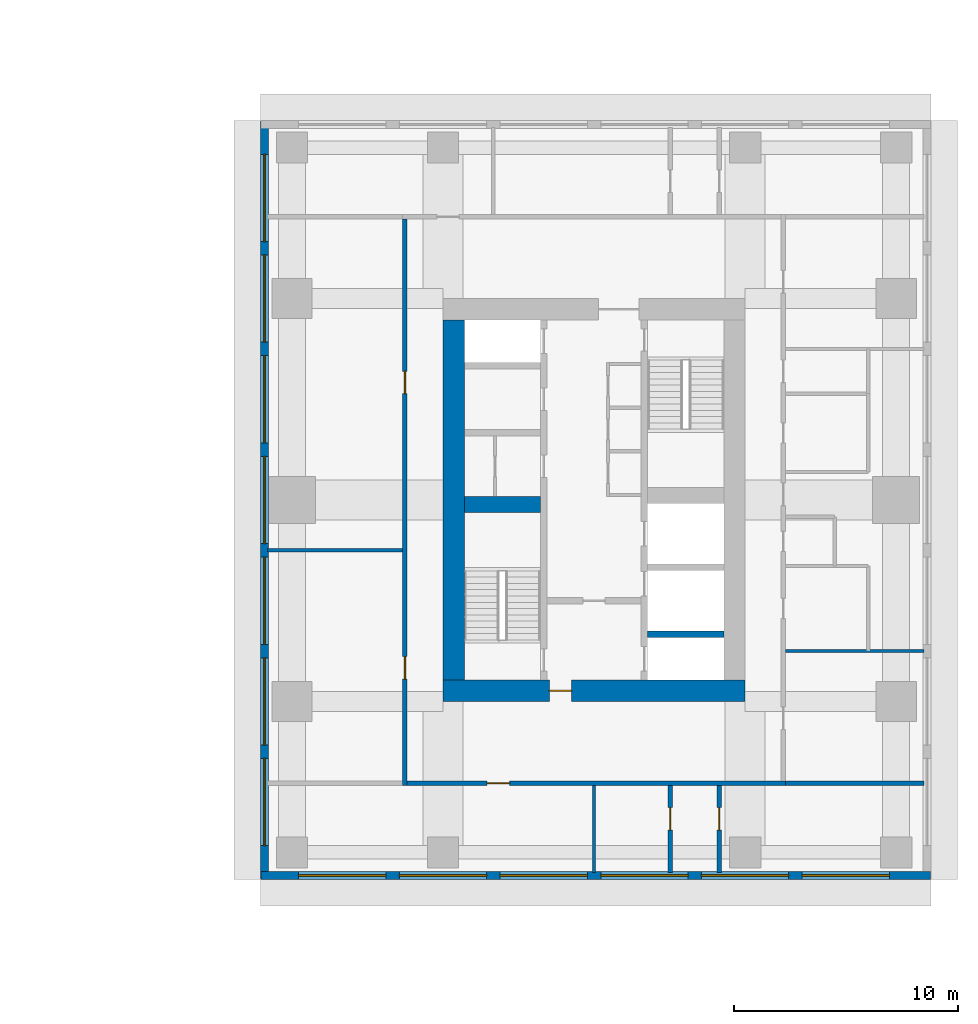
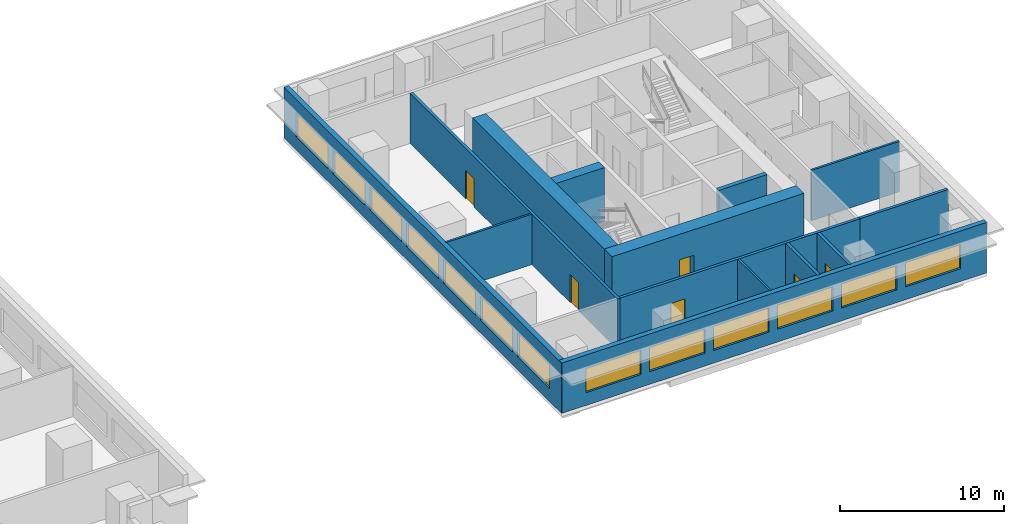
# One storey, part 6 of 11: 14 walls, 13 windows, 6 doors, 19 openings.
"""IFC4 building model written with IfcOpenShell, lengths in metres."""

import ifcopenshell
import ifcopenshell.guid

model = None  # the IFC model being written
_history = None  # IfcOwnerHistory: only IFC2X3 demands one
_inside = {}  # id of a spatial element -> (the spatial element, [elements in it])
_under = {}  # id of a project, library or spatial element -> (it, [spatial elements below it])
_declared = {}  # id of a project -> (the project, [libraries it declares])
_typed = {}  # id of a type object -> (the type object, [elements of that type])
_made_of = {}  # id of a material, layer set ... -> (it, [elements and type objects made of it])


def new_model(schema):
    """Start an empty IFC model of exactly this schema.

    Asked for "IFC4X3", IfcOpenShell would pick the latest addendum, in which some entities
    have other attributes; the version numbers below select the first issue.
    IFC2X3 requires an IfcOwnerHistory on every rooted entity: one is made here for all.
    """
    global model, _history
    if schema == "IFC4X3":
        model = ifcopenshell.file(schema_version=(4, 3, 0, 0))
    else:
        model = ifcopenshell.file(schema=schema)
    _inside.clear()
    _under.clear()
    _declared.clear()
    _typed.clear()
    _made_of.clear()
    _history = None
    if model.schema == "IFC2X3":
        org = make("IfcOrganization", Name="unknown")
        user = make(
            "IfcPersonAndOrganization",
            ThePerson=make("IfcPerson", FamilyName="unknown"),
            TheOrganization=org,
        )
        app = make(
            "IfcApplication",
            ApplicationDeveloper=org,
            Version="unknown",
            ApplicationFullName="unknown",
            ApplicationIdentifier="unknown",
        )
        _history = make(
            "IfcOwnerHistory",
            OwningUser=user,
            OwningApplication=app,
            ChangeAction="ADDED",
            CreationDate=0,
        )
    return model


def make(cls, **values):
    """One entity of the class cls with the attributes given. An attribute that is None is left unset."""
    return model.create_entity(
        cls, **{name: value for name, value in values.items() if value is not None}
    )


def rooted(cls, **values):
    """An entity with a GlobalId (a new one), such as an element, a storey or a relation."""
    return make(cls, GlobalId=ifcopenshell.guid.new(), OwnerHistory=_history, **values)


def si_unit(unit_type, name, prefix=None):
    """IfcSIUnit, for example si_unit("LENGTHUNIT", "METRE", prefix="MILLI")."""
    return make("IfcSIUnit", UnitType=unit_type, Prefix=prefix, Name=name)


def assignment(units):
    """IfcUnitAssignment: the units of a project."""
    return None if units is None else make("IfcUnitAssignment", Units=units)


def point(xyz):
    """IfcCartesianPoint."""
    return None if xyz is None else make("IfcCartesianPoint", Coordinates=xyz)


def direction(xyz):
    """IfcDirection."""
    return None if xyz is None else make("IfcDirection", DirectionRatios=xyz)


def frame(location, z_axis=None, x_axis=None):
    """IfcAxis2Placement3D, a coordinate frame: its origin and axes. An axis left out is left unset."""
    return make(
        "IfcAxis2Placement3D",
        Location=point(location),
        Axis=direction(z_axis),
        RefDirection=direction(x_axis),
    )


def frame_2d(location, x_axis=None):
    """IfcAxis2Placement2D, a coordinate frame in the plane: its origin and x axis."""
    return make(
        "IfcAxis2Placement2D", Location=point(location), RefDirection=direction(x_axis)
    )


def origin():
    """The frame at (0, 0, 0) with its axes left unset."""
    return frame((0.0, 0.0, 0.0))


def place(relative_to, where):
    """IfcLocalPlacement: puts the frame where relative to a parent placement (None: the world)."""
    return make(
        "IfcLocalPlacement", PlacementRelTo=relative_to, RelativePlacement=where
    )


def context(
    kind, dimensions, precision=None, world=None, true_north=None, identifier=None
):
    """IfcGeometricRepresentationContext, for example the 3D "Model" context."""
    return make(
        "IfcGeometricRepresentationContext",
        ContextIdentifier=identifier,
        ContextType=kind,
        CoordinateSpaceDimension=dimensions,
        Precision=precision,
        WorldCoordinateSystem=world,
        TrueNorth=true_north,
    )


def subcontext(parent, identifier, kind, view, scale=None):
    """IfcGeometricRepresentationSubContext, for example "Body" below "Model"."""
    return make(
        "IfcGeometricRepresentationSubContext",
        ContextIdentifier=identifier,
        ContextType=kind,
        ParentContext=parent,
        TargetScale=scale,
        TargetView=view,
    )


def project(units=None, contexts=None):
    """IfcProject with its units and contexts."""
    return rooted(
        "IfcProject",
        Name="project",
        RepresentationContexts=contexts,
        UnitsInContext=assignment(units),
    )


def spatial(cls, under=None, at=None, **own):
    """A site, building, storey or space (cls), placed at a placement, below another one or the project."""
    s = rooted(cls, ObjectPlacement=at, **own)
    if under is not None:
        _under.setdefault(under.id(), (under, []))[1].append(s)
    return s


def profile(cls, at=None, kind="AREA", **sizes):
    """A parametric profile (cls). Its sizes go by their IFC names, for example OverallWidth=200.0."""
    return make(cls, ProfileType=kind, Position=at, **sizes)


def rectangle(**sizes):
    """IfcRectangleProfileDef."""
    return profile("IfcRectangleProfileDef", **sizes)


def extrude(swept, where, along, depth):
    """IfcExtrudedAreaSolid: the profile swept, set in the frame where, extruded along a direction by depth."""
    return make(
        "IfcExtrudedAreaSolid",
        SweptArea=swept,
        Position=where,
        ExtrudedDirection=direction(along),
        Depth=depth,
    )


def shape(context_of_items, identifier, shape_type, items):
    """IfcShapeRepresentation: the items that make up one representation, for example the "Body"."""
    return make(
        "IfcShapeRepresentation",
        ContextOfItems=context_of_items,
        RepresentationIdentifier=identifier,
        RepresentationType=shape_type,
        Items=items,
    )


def material(Name=None, Category=None):
    """IfcMaterial."""
    return make("IfcMaterial", Name=Name, Category=Category)


def layer(
    of_material, thickness, ventilated=None, Name=None, Category=None, Priority=None
):
    """IfcMaterialLayer: one layer of a wall or slab, of a material (None: an air gap)."""
    return make(
        "IfcMaterialLayer",
        Material=of_material,
        LayerThickness=thickness,
        IsVentilated=ventilated,
        Name=Name,
        Category=Category,
        Priority=Priority,
    )


def layer_set(layers, Name=None):
    """IfcMaterialLayerSet."""
    return make("IfcMaterialLayerSet", MaterialLayers=layers, LayerSetName=Name)


def made_of(thing, what):
    """Note that an element or type object is made of a material, layer set ...; save() writes the relation."""
    if what is not None:
        _made_of.setdefault(what.id(), (what, []))[1].append(thing)
    return thing


def type_object(cls, material=None, **own):
    """A type object (cls), such as IfcWallType, which elements share."""
    return made_of(rooted(cls, **own), material)


def element(
    cls,
    number,
    at=None,
    inside=None,
    cuts=None,
    type_object=None,
    material=None,
    context=None,
    identifier="Body",
    shape_type=None,
    held_by="IfcProductDefinitionShape",
    body=None,
    shapes=None,
    **own,
):
    """One element of the class cls, such as IfcWall. Its Tag is "e" and its number.

    at: its placement. inside: the storey or other place that contains it. cuts: it is an
    opening in that element (IfcRelVoidsElement). A single representation is given by context,
    identifier, shape_type and body (its items); several are given by shapes. held_by: the class
    of the entity that holds the representations. save() writes the other relations.
    """
    e = rooted(cls, Tag="e%d" % number, ObjectPlacement=at, **own)
    if body is not None:
        shapes = [shape(context, identifier, shape_type, body)]
    if shapes is not None:
        e.Representation = make(held_by, Representations=shapes)
    if inside is not None:
        _inside.setdefault(inside.id(), (inside, []))[1].append(e)
    if cuts is not None:
        rooted(
            "IfcRelVoidsElement", RelatingBuildingElement=cuts, RelatedOpeningElement=e
        )
    if type_object is not None:
        _typed.setdefault(type_object.id(), (type_object, []))[1].append(e)
    return made_of(e, material)


def fill(opening, filler):
    """IfcRelFillsElement: the door or window that sits in an opening."""
    return rooted(
        "IfcRelFillsElement",
        RelatingOpeningElement=opening,
        RelatedBuildingElement=filler,
    )


def aggregate(whole, parts):
    """IfcRelAggregates: a whole, such as a stair, and the parts it consists of."""
    return rooted("IfcRelAggregates", RelatingObject=whole, RelatedObjects=parts)


def save(model, path):
    """Write the relations noted so far, then the file.

    IfcRelAggregates (storeys below a building ...), IfcRelContainedInSpatialStructure (elements
    in a storey), IfcRelDefinesByType, IfcRelAssociatesMaterial and IfcRelDeclares: one each for
    every whole, place, type object, material and project.
    """
    for whole, parts in _under.values():
        aggregate(whole, parts)
    for where, things in _inside.values():
        rooted(
            "IfcRelContainedInSpatialStructure",
            RelatedElements=things,
            RelatingStructure=where,
        )
    for kind, things in _typed.values():
        rooted("IfcRelDefinesByType", RelatedObjects=things, RelatingType=kind)
    for what, things in _made_of.values():
        rooted("IfcRelAssociatesMaterial", RelatedObjects=things, RelatingMaterial=what)
    for by, libraries in _declared.values():
        rooted("IfcRelDeclares", RelatingContext=by, RelatedDefinitions=libraries)
    model.write(path)


model = new_model("IFC4")

# Units and contexts
model_context = context("Model", 3, precision=1e-05, world=origin(), true_north=direction((0.0, 1.0)))
body_context = subcontext(model_context, "Body", "Model", "MODEL_VIEW")
ifc_project = project(units=[si_unit("LENGTHUNIT", "METRE"), si_unit("AREAUNIT", "SQUARE_METRE"), si_unit("VOLUMEUNIT", "CUBIC_METRE"), si_unit("PLANEANGLEUNIT", "RADIAN"), si_unit("MASSUNIT", "GRAM", prefix="KILO")], contexts=[model_context])

# Site, building, storey
site_placement = place(None, origin())
site = spatial("IfcSite", under=ifc_project, at=site_placement, CompositionType="ELEMENT")
building_placement = place(site_placement, origin())
building = spatial("IfcBuilding", under=site, at=building_placement, Name="Namib Vertical Campus", CompositionType="ELEMENT")
storey_placement = place(building_placement, frame((0.0, 0.0, 197.0)))
storey = spatial("IfcBuildingStorey", under=building, at=storey_placement, Name="L46", CompositionType="ELEMENT", Elevation=197.0)

# Walls
ifc_material_1 = material(Name="Concrete C60/75", Category="concrete")
ifc_layer_1 = layer(ifc_material_1, 0.300048828125)
ifc_layer_set_1 = layer_set([ifc_layer_1], Name="Concrete C60/75")
wall_type_1 = type_object("IfcWallType", Name="Core inner wall 300", PredefinedType="SHEAR", material=ifc_layer_set_1)
wall_1_placement = place(storey_placement, frame((83.39990234375, 14.25, 0.0), z_axis=(0.0, 0.0, 1.0), x_axis=(1.0, 0.0, 0.0)))
element("IfcWall", 1, at=wall_1_placement, inside=storey, type_object=wall_type_1, Name="Core inner wall B L46 W5", PredefinedType="SHEAR", context=body_context, shape_type="SweptSolid", body=[
    extrude(rectangle(XDim=3.400146484375, YDim=0.300048828125, at=frame_2d((1.7001953125, 0.0))), origin(), (0.0, 0.0, 1.0), 4.0),
])
ifc_material_2 = material(Name="Concrete C60/75", Category="concrete")
ifc_layer_2 = layer(ifc_material_2, 0.699951171875)
ifc_layer_set_2 = layer_set([ifc_layer_2], Name="Concrete C60/75")
wall_type_2 = type_object("IfcWallType", Name="Core shear wall 700", PredefinedType="SHEAR", material=ifc_layer_set_2)
wall_2_placement = place(storey_placement, frame((75.199951171875, 20.050048828125, 0.0), z_axis=(0.0, 0.0, 1.0), x_axis=(1.0, 0.0, 0.0)))
element("IfcWall", 2, at=wall_2_placement, inside=storey, type_object=wall_type_2, Name="Core shear wall B L46 W3", PredefinedType="SHEAR", context=body_context, shape_type="SweptSolid", body=[
    extrude(rectangle(XDim=3.400146484375, YDim=0.699951171875, at=frame_2d((1.7001953125, 0.0))), origin(), (0.0, 0.0, 1.0), 4.0),
])

# Wall, opening, door
ifc_material_3 = material(Name="Concrete C60/75", Category="concrete")
ifc_layer_3 = layer(ifc_material_3, 0.949951171875)
ifc_layer_set_3 = layer_set([ifc_layer_3], Name="Concrete C60/75")
wall_type_3 = type_object("IfcWallType", Name="Core wall 950", PredefinedType="SHEAR", material=ifc_layer_set_3)
wall_3_placement = place(storey_placement, frame((74.25, 11.72509765625, 0.0), z_axis=(0.0, 0.0, 1.0), x_axis=(1.0, 0.0, 0.0)))
wall_3 = element("IfcWall", 3, at=wall_3_placement, inside=storey, type_object=wall_type_3, Name="Core wall B L46 1", PredefinedType="SHEAR", context=body_context, shape_type="SweptSolid", body=[
    extrude(rectangle(XDim=13.5, YDim=0.949951171875, at=frame_2d((6.75, 0.0))), origin(), (0.0, 0.0, 1.0), 4.0),
])
opening_1_placement = place(wall_3_placement, frame((4.75, 0.0, 0.0)))
opening_1 = element("IfcOpeningElement", 4, at=opening_1_placement, cuts=wall_3, Name="Opening FD5", PredefinedType="OPENING", context=body_context, shape_type="SweptSolid", body=[
    extrude(rectangle(XDim=1.0, YDim=2.10009765625, at=frame_2d((0.5, 1.050048828125))), frame((0.0, 0.48486328125, 0.0), z_axis=(0.0, -1.0, 0.0), x_axis=(1.0, 0.0, 0.0)), (0.0, 0.0, 1.0), 0.969970703125),
])
ifc_material_4 = material(Name="Steel fire door", Category="steel")
door_type_1 = type_object("IfcDoorType", Name="Fire door 1000x2100 120 min", OperationType="SINGLE_SWING_RIGHT", PredefinedType="DOOR", material=ifc_material_4)
door_1_placement = place(opening_1_placement, origin())
door_1 = element("IfcDoor", 5, at=door_1_placement, inside=storey, type_object=door_type_1, Name="Firefighting lobby door FD5 B L46", OperationType="SINGLE_SWING_LEFT", OverallHeight=2.10009765625, OverallWidth=1.0, PredefinedType="DOOR", context=body_context, shape_type="SweptSolid", body=[
    extrude(rectangle(XDim=1.0, YDim=2.10009765625, at=frame_2d((0.5, 1.050048828125))), frame((0.0, 0.02490234375, 0.0), z_axis=(0.0, -1.0, 0.0), x_axis=(1.0, 0.0, 0.0)), (0.0, 0.0, 1.0), 0.050048828125),
])
fill(opening_1, door_1)

# Wall
wall_4_placement = place(storey_placement, frame((74.72509765625, 28.300048828125, 0.0), z_axis=(0.0, 0.0, 1.0), x_axis=(0.0, -1.0, 0.0)))
element("IfcWall", 6, at=wall_4_placement, inside=storey, type_object=wall_type_3, Name="Core wall B L46 4", PredefinedType="SHEAR", context=body_context, shape_type="SweptSolid", body=[
    extrude(rectangle(XDim=16.10009765625, YDim=0.949951171875, at=frame_2d((8.050048828125, 0.0))), origin(), (0.0, 0.0, 1.0), 4.0),
])

# Wall, opening, door
ifc_material_5 = material(Name="Concrete masonry", Category="masonry")
ifc_layer_4 = layer(ifc_material_5, 0.199951171875)
ifc_layer_set_4 = layer_set([ifc_layer_4], Name="Corridor wall 200")
wall_type_4 = type_object("IfcWallType", Name="Corridor wall 200", PredefinedType="SOLIDWALL", material=ifc_layer_set_4)
wall_5_placement = place(storey_placement, frame((72.64990234375, 7.60009765625, 0.0), z_axis=(0.0, 0.0, 1.0), x_axis=(1.0, 0.0, 0.0)))
wall_5 = element("IfcWall", 7, at=wall_5_placement, inside=storey, type_object=wall_type_4, Name="Corridor wall B L46 CS", PredefinedType="SOLIDWALL", context=body_context, shape_type="SweptSolid", body=[
    extrude(rectangle(XDim=16.900146484375, YDim=0.199951171875, at=frame_2d((8.4501953125, 0.0))), origin(), (0.0, 0.0, 1.0), 3.75),
])
opening_2_placement = place(wall_5_placement, frame((3.574951171875, 0.0, 0.0)))
opening_2 = element("IfcOpeningElement", 8, at=opening_2_placement, cuts=wall_5, Name="Opening CD1", PredefinedType="OPENING", context=body_context, shape_type="SweptSolid", body=[
    extrude(rectangle(XDim=1.0, YDim=2.10009765625, at=frame_2d((0.5, 1.050048828125))), frame((0.0, 0.10986328125, 0.0), z_axis=(0.0, -1.0, 0.0), x_axis=(1.0, 0.0, 0.0)), (0.0, 0.0, 1.0), 0.219970703125),
])
ifc_material_6 = material(Name="Timber fire door leaf", Category="wood")
door_type_2 = type_object("IfcDoorType", Name="Corridor door 1000x2100 20 min", OperationType="SINGLE_SWING_LEFT", PredefinedType="DOOR", material=ifc_material_6)
door_2_placement = place(opening_2_placement, frame((1.0, 0.0, 0.0), z_axis=(0.0, 0.0, 1.0), x_axis=(-1.0, 0.0, 0.0)))
door_2 = element("IfcDoor", 9, at=door_2_placement, inside=storey, type_object=door_type_2, Name="Door CD1 B46-01", OperationType="SINGLE_SWING_LEFT", OverallHeight=2.10009765625, OverallWidth=1.0, PredefinedType="DOOR", context=body_context, shape_type="SweptSolid", body=[
    extrude(rectangle(XDim=1.0, YDim=2.10009765625, at=frame_2d((0.5, 1.050048828125))), frame((0.0, 0.02490234375, 0.0), z_axis=(0.0, -1.0, 0.0), x_axis=(1.0, 0.0, 0.0)), (0.0, 0.0, 1.0), 0.050048828125),
])
fill(opening_2, door_2)

# Wall, openings, doors
wall_6_placement = place(storey_placement, frame((72.550048828125, 32.800048828125, 0.0), z_axis=(0.0, 0.0, 1.0), x_axis=(0.0, -1.0, 0.0)))
wall_6 = element("IfcWall", 10, at=wall_6_placement, inside=storey, type_object=wall_type_4, Name="Corridor wall B L46 CW", PredefinedType="SOLIDWALL", context=body_context, shape_type="SweptSolid", body=[
    extrude(rectangle(XDim=25.300048828125, YDim=0.199951171875, at=frame_2d((12.64990234375, 0.0))), origin(), (0.0, 0.0, 1.0), 3.75),
])
opening_3_placement = place(wall_6_placement, frame((19.550048828125, 0.0, 0.0)))
opening_3 = element("IfcOpeningElement", 11, at=opening_3_placement, cuts=wall_6, Name="Opening CD1", PredefinedType="OPENING", context=body_context, shape_type="SweptSolid", body=[
    extrude(rectangle(XDim=1.0, YDim=2.10009765625, at=frame_2d((0.5, 1.050048828125))), frame((0.0, 0.10986328125, 0.0), z_axis=(0.0, -1.0, 0.0), x_axis=(1.0, 0.0, 0.0)), (0.0, 0.0, 1.0), 0.219970703125),
])
opening_4_placement = place(wall_6_placement, frame((6.800048828125, 0.0, 0.0)))
opening_4 = element("IfcOpeningElement", 12, at=opening_4_placement, cuts=wall_6, Name="Opening CD1", PredefinedType="OPENING", context=body_context, shape_type="SweptSolid", body=[
    extrude(rectangle(XDim=1.0, YDim=2.10009765625, at=frame_2d((0.5, 1.050048828125))), frame((0.0, 0.10986328125, 0.0), z_axis=(0.0, -1.0, 0.0), x_axis=(1.0, 0.0, 0.0)), (0.0, 0.0, 1.0), 0.219970703125),
])
door_3_placement = place(opening_3_placement, frame((1.0, 0.0, 0.0), z_axis=(0.0, 0.0, 1.0), x_axis=(-1.0, 0.0, 0.0)))
door_3 = element("IfcDoor", 13, at=door_3_placement, inside=storey, type_object=door_type_2, Name="Door CD1 B46-14", OperationType="SINGLE_SWING_RIGHT", OverallHeight=2.10009765625, OverallWidth=1.0, PredefinedType="DOOR", context=body_context, shape_type="SweptSolid", body=[
    extrude(rectangle(XDim=1.0, YDim=2.10009765625, at=frame_2d((0.5, 1.050048828125))), frame((0.0, 0.02490234375, 0.0), z_axis=(0.0, -1.0, 0.0), x_axis=(1.0, 0.0, 0.0)), (0.0, 0.0, 1.0), 0.050048828125),
])
fill(opening_3, door_3)
door_4_placement = place(opening_4_placement, frame((1.0, 0.0, 0.0), z_axis=(0.0, 0.0, 1.0), x_axis=(-1.0, 0.0, 0.0)))
door_4 = element("IfcDoor", 14, at=door_4_placement, inside=storey, type_object=door_type_2, Name="Door CD1 B46-15", OperationType="SINGLE_SWING_RIGHT", OverallHeight=2.10009765625, OverallWidth=1.0, PredefinedType="DOOR", context=body_context, shape_type="SweptSolid", body=[
    extrude(rectangle(XDim=1.0, YDim=2.10009765625, at=frame_2d((0.5, 1.050048828125))), frame((0.0, 0.02490234375, 0.0), z_axis=(0.0, -1.0, 0.0), x_axis=(1.0, 0.0, 0.0)), (0.0, 0.0, 1.0), 0.050048828125),
])
fill(opening_4, door_4)

# Wall, opening, door
wall_7_placement = place(storey_placement, frame((84.39990234375, 3.60009765625, 0.0), z_axis=(0.0, 0.0, 1.0), x_axis=(0.0, 1.0, 0.0)))
wall_7 = element("IfcWall", 15, at=wall_7_placement, inside=storey, type_object=wall_type_4, Name="Corridor wall B L46 SPS1", PredefinedType="SOLIDWALL", context=body_context, shape_type="SweptSolid", body=[
    extrude(rectangle(XDim=3.89990234375, YDim=0.199951171875, at=frame_2d((1.949951171875, 0.0))), origin(), (0.0, 0.0, 1.0), 3.75),
])
opening_5_placement = place(wall_7_placement, frame((1.89990234375, 0.0, 0.0)))
opening_5 = element("IfcOpeningElement", 16, at=opening_5_placement, cuts=wall_7, Name="Opening CD1", PredefinedType="OPENING", context=body_context, shape_type="SweptSolid", body=[
    extrude(rectangle(XDim=1.0, YDim=2.10009765625, at=frame_2d((0.5, 1.050048828125))), frame((0.0, 0.10986328125, 0.0), z_axis=(0.0, -1.0, 0.0), x_axis=(1.0, 0.0, 0.0)), (0.0, 0.0, 1.0), 0.219970703125),
])
door_5_placement = place(opening_5_placement, origin())
door_5 = element("IfcDoor", 17, at=door_5_placement, inside=storey, type_object=door_type_2, Name="Door CD1 B46-02", OperationType="SINGLE_SWING_RIGHT", OverallHeight=2.10009765625, OverallWidth=1.0, PredefinedType="DOOR", context=body_context, shape_type="SweptSolid", body=[
    extrude(rectangle(XDim=1.0, YDim=2.10009765625, at=frame_2d((0.5, 1.050048828125))), frame((0.0, 0.02490234375, 0.0), z_axis=(0.0, -1.0, 0.0), x_axis=(1.0, 0.0, 0.0)), (0.0, 0.0, 1.0), 0.050048828125),
])
fill(opening_5, door_5)

wall_8_placement = place(storey_placement, frame((86.60009765625, 7.5, 0.0), z_axis=(0.0, 0.0, 1.0), x_axis=(0.0, -1.0, 0.0)))
wall_8 = element("IfcWall", 18, at=wall_8_placement, inside=storey, type_object=wall_type_4, Name="Corridor wall B L46 SPS2", PredefinedType="SOLIDWALL", context=body_context, shape_type="SweptSolid", body=[
    extrude(rectangle(XDim=3.89990234375, YDim=0.199951171875, at=frame_2d((1.949951171875, 0.0))), origin(), (0.0, 0.0, 1.0), 3.75),
])
opening_6_placement = place(wall_8_placement, frame((1.0, 0.0, 0.0)))
opening_6 = element("IfcOpeningElement", 19, at=opening_6_placement, cuts=wall_8, Name="Opening CD1", PredefinedType="OPENING", context=body_context, shape_type="SweptSolid", body=[
    extrude(rectangle(XDim=1.0, YDim=2.10009765625, at=frame_2d((0.5, 1.050048828125))), frame((0.0, 0.10986328125, 0.0), z_axis=(0.0, -1.0, 0.0), x_axis=(1.0, 0.0, 0.0)), (0.0, 0.0, 1.0), 0.219970703125),
])
door_6_placement = place(opening_6_placement, origin())
door_6 = element("IfcDoor", 20, at=door_6_placement, inside=storey, type_object=door_type_2, Name="Door CD1 B46-03", OperationType="SINGLE_SWING_LEFT", OverallHeight=2.10009765625, OverallWidth=1.0, PredefinedType="DOOR", context=body_context, shape_type="SweptSolid", body=[
    extrude(rectangle(XDim=1.0, YDim=2.10009765625, at=frame_2d((0.5, 1.050048828125))), frame((0.0, 0.02490234375, 0.0), z_axis=(0.0, -1.0, 0.0), x_axis=(1.0, 0.0, 0.0)), (0.0, 0.0, 1.0), 0.050048828125),
])
fill(opening_6, door_6)

# Wall
wall_9_placement = place(storey_placement, frame((89.550048828125, 7.60009765625, 0.0), z_axis=(0.0, 0.0, 1.0), x_axis=(1.0, 0.0, 0.0)))
element("IfcWall", 21, at=wall_9_placement, inside=storey, type_object=wall_type_4, Name="Partition B L46 BSE", PredefinedType="SOLIDWALL", context=body_context, shape_type="SweptSolid", body=[
    extrude(rectangle(XDim=6.199951171875, YDim=0.199951171875, at=frame_2d((3.10009765625, 0.0))), origin(), (0.0, 0.0, 1.0), 3.75),
])

# Wall, openings, windows
ifc_material_7 = material(Name="Concrete C40/50", Category="concrete")
ifc_layer_5 = layer(ifc_material_7, 0.35009765625)
ifc_layer_set_5 = layer_set([ifc_layer_5], Name="Concrete C40/50")
wall_type_5 = type_object("IfcWallType", Name="External wall 350 bush-hammered concrete", PredefinedType="STANDARD", material=ifc_layer_set_5)
wall_10_placement = place(storey_placement, frame((66.1201171875, 3.47509765625, 0.0), z_axis=(0.0, 0.0, 1.0), x_axis=(1.0, 0.0, 0.0)))
wall_10 = element("IfcWall", 22, at=wall_10_placement, inside=storey, type_object=wall_type_5, Name="External wall L46 F01", PredefinedType="STANDARD", context=body_context, shape_type="SweptSolid", body=[
    extrude(rectangle(XDim=29.909912109375, YDim=0.35009765625, at=frame_2d((14.955078125, 0.0))), origin(), (0.0, 0.0, 1.0), 3.75),
])
opening_7_placement = place(wall_10_placement, frame((1.679931640625, 0.0, 0.949951171875)))
opening_7 = element("IfcOpeningElement", 23, at=opening_7_placement, cuts=wall_10, Name="Opening W3", PredefinedType="OPENING", context=body_context, shape_type="SweptSolid", body=[
    extrude(rectangle(XDim=3.89990234375, YDim=1.800048828125, at=frame_2d((1.949951171875, 0.89990234375))), frame((0.0, 0.18505859375, 0.0), z_axis=(0.0, -1.0, 0.0), x_axis=(1.0, 0.0, 0.0)), (0.0, 0.0, 1.0), 0.3701171875),
])
opening_8_placement = place(wall_10_placement, frame((6.179931640625, 0.0, 0.949951171875)))
opening_8 = element("IfcOpeningElement", 24, at=opening_8_placement, cuts=wall_10, Name="Opening W3", PredefinedType="OPENING", context=body_context, shape_type="SweptSolid", body=[
    extrude(rectangle(XDim=3.89990234375, YDim=1.800048828125, at=frame_2d((1.949951171875, 0.89990234375))), frame((0.0, 0.18505859375, 0.0), z_axis=(0.0, -1.0, 0.0), x_axis=(1.0, 0.0, 0.0)), (0.0, 0.0, 1.0), 0.3701171875),
])
opening_9_placement = place(wall_10_placement, frame((10.679931640625, 0.0, 0.949951171875)))
opening_9 = element("IfcOpeningElement", 25, at=opening_9_placement, cuts=wall_10, Name="Opening W3", PredefinedType="OPENING", context=body_context, shape_type="SweptSolid", body=[
    extrude(rectangle(XDim=3.89990234375, YDim=1.800048828125, at=frame_2d((1.949951171875, 0.89990234375))), frame((0.0, 0.18505859375, 0.0), z_axis=(0.0, -1.0, 0.0), x_axis=(1.0, 0.0, 0.0)), (0.0, 0.0, 1.0), 0.3701171875),
])
opening_10_placement = place(wall_10_placement, frame((15.179931640625, 0.0, 0.949951171875)))
opening_10 = element("IfcOpeningElement", 26, at=opening_10_placement, cuts=wall_10, Name="Opening W3", PredefinedType="OPENING", context=body_context, shape_type="SweptSolid", body=[
    extrude(rectangle(XDim=3.89990234375, YDim=1.800048828125, at=frame_2d((1.949951171875, 0.89990234375))), frame((0.0, 0.18505859375, 0.0), z_axis=(0.0, -1.0, 0.0), x_axis=(1.0, 0.0, 0.0)), (0.0, 0.0, 1.0), 0.3701171875),
])
opening_11_placement = place(wall_10_placement, frame((19.679931640625, 0.0, 0.949951171875)))
opening_11 = element("IfcOpeningElement", 27, at=opening_11_placement, cuts=wall_10, Name="Opening W3", PredefinedType="OPENING", context=body_context, shape_type="SweptSolid", body=[
    extrude(rectangle(XDim=3.89990234375, YDim=1.800048828125, at=frame_2d((1.949951171875, 0.89990234375))), frame((0.0, 0.18505859375, 0.0), z_axis=(0.0, -1.0, 0.0), x_axis=(1.0, 0.0, 0.0)), (0.0, 0.0, 1.0), 0.3701171875),
])
opening_12_placement = place(wall_10_placement, frame((24.179931640625, 0.0, 0.949951171875)))
opening_12 = element("IfcOpeningElement", 28, at=opening_12_placement, cuts=wall_10, Name="Opening W3", PredefinedType="OPENING", context=body_context, shape_type="SweptSolid", body=[
    extrude(rectangle(XDim=3.89990234375, YDim=1.800048828125, at=frame_2d((1.949951171875, 0.89990234375))), frame((0.0, 0.18505859375, 0.0), z_axis=(0.0, -1.0, 0.0), x_axis=(1.0, 0.0, 0.0)), (0.0, 0.0, 1.0), 0.3701171875),
])
ifc_material_8 = material(Name="Dark tinted glass in black aluminium frame", Category="aluminium")
window_type = type_object("IfcWindowType", Name="Ribbon window 3900x1800", PartitioningType="SINGLE_PANEL", PredefinedType="WINDOW", material=ifc_material_8)
window_1_placement = place(opening_7_placement, origin())
window_1 = element("IfcWindow", 29, at=window_1_placement, inside=storey, type_object=window_type, Name="Window W3 L46 F01-1", OverallHeight=1.800048828125, OverallWidth=3.89990234375, PartitioningType="SINGLE_PANEL", PredefinedType="WINDOW", context=body_context, shape_type="SweptSolid", body=[
    extrude(rectangle(XDim=3.89990234375, YDim=1.800048828125, at=frame_2d((1.949951171875, 0.89990234375))), frame((0.0, 0.030029296875, 0.0), z_axis=(0.0, -1.0, 0.0), x_axis=(1.0, 0.0, 0.0)), (0.0, 0.0, 1.0), 0.06005859375),
])
fill(opening_7, window_1)
window_2_placement = place(opening_8_placement, origin())
window_2 = element("IfcWindow", 30, at=window_2_placement, inside=storey, type_object=window_type, Name="Window W3 L46 F01-2", OverallHeight=1.800048828125, OverallWidth=3.89990234375, PartitioningType="SINGLE_PANEL", PredefinedType="WINDOW", context=body_context, shape_type="SweptSolid", body=[
    extrude(rectangle(XDim=3.89990234375, YDim=1.800048828125, at=frame_2d((1.949951171875, 0.89990234375))), frame((0.0, 0.030029296875, 0.0), z_axis=(0.0, -1.0, 0.0), x_axis=(1.0, 0.0, 0.0)), (0.0, 0.0, 1.0), 0.06005859375),
])
fill(opening_8, window_2)
window_3_placement = place(opening_9_placement, origin())
window_3 = element("IfcWindow", 31, at=window_3_placement, inside=storey, type_object=window_type, Name="Window W3 L46 F01-3", OverallHeight=1.800048828125, OverallWidth=3.89990234375, PartitioningType="SINGLE_PANEL", PredefinedType="WINDOW", context=body_context, shape_type="SweptSolid", body=[
    extrude(rectangle(XDim=3.89990234375, YDim=1.800048828125, at=frame_2d((1.949951171875, 0.89990234375))), frame((0.0, 0.030029296875, 0.0), z_axis=(0.0, -1.0, 0.0), x_axis=(1.0, 0.0, 0.0)), (0.0, 0.0, 1.0), 0.06005859375),
])
fill(opening_9, window_3)
window_4_placement = place(opening_10_placement, origin())
window_4 = element("IfcWindow", 32, at=window_4_placement, inside=storey, type_object=window_type, Name="Window W3 L46 F01-4", OverallHeight=1.800048828125, OverallWidth=3.89990234375, PartitioningType="SINGLE_PANEL", PredefinedType="WINDOW", context=body_context, shape_type="SweptSolid", body=[
    extrude(rectangle(XDim=3.89990234375, YDim=1.800048828125, at=frame_2d((1.949951171875, 0.89990234375))), frame((0.0, 0.030029296875, 0.0), z_axis=(0.0, -1.0, 0.0), x_axis=(1.0, 0.0, 0.0)), (0.0, 0.0, 1.0), 0.06005859375),
])
fill(opening_10, window_4)
window_5_placement = place(opening_11_placement, origin())
window_5 = element("IfcWindow", 33, at=window_5_placement, inside=storey, type_object=window_type, Name="Window W3 L46 F01-5", OverallHeight=1.800048828125, OverallWidth=3.89990234375, PartitioningType="SINGLE_PANEL", PredefinedType="WINDOW", context=body_context, shape_type="SweptSolid", body=[
    extrude(rectangle(XDim=3.89990234375, YDim=1.800048828125, at=frame_2d((1.949951171875, 0.89990234375))), frame((0.0, 0.030029296875, 0.0), z_axis=(0.0, -1.0, 0.0), x_axis=(1.0, 0.0, 0.0)), (0.0, 0.0, 1.0), 0.06005859375),
])
fill(opening_11, window_5)
window_6_placement = place(opening_12_placement, origin())
window_6 = element("IfcWindow", 34, at=window_6_placement, inside=storey, type_object=window_type, Name="Window W3 L46 F01-6", OverallHeight=1.800048828125, OverallWidth=3.89990234375, PartitioningType="SINGLE_PANEL", PredefinedType="WINDOW", context=body_context, shape_type="SweptSolid", body=[
    extrude(rectangle(XDim=3.89990234375, YDim=1.800048828125, at=frame_2d((1.949951171875, 0.89990234375))), frame((0.0, 0.030029296875, 0.0), z_axis=(0.0, -1.0, 0.0), x_axis=(1.0, 0.0, 0.0)), (0.0, 0.0, 1.0), 0.06005859375),
])
fill(opening_12, window_6)

wall_11_placement = place(storey_placement, frame((66.27490234375, 37.179931640625, 0.0), z_axis=(0.0, 0.0, 1.0), x_axis=(0.0, -1.0, 0.0)))
wall_11 = element("IfcWall", 35, at=wall_11_placement, inside=storey, type_object=wall_type_5, Name="External wall L46 F04", PredefinedType="STANDARD", context=body_context, shape_type="SweptSolid", body=[
    extrude(rectangle(XDim=33.85986328125, YDim=0.35009765625, at=frame_2d((16.929931640625, 0.0))), origin(), (0.0, 0.0, 1.0), 3.75),
])
opening_13_placement = place(wall_11_placement, frame((28.47998046875, 0.0, 0.949951171875)))
opening_13 = element("IfcOpeningElement", 36, at=opening_13_placement, cuts=wall_11, Name="Opening W3", PredefinedType="OPENING", context=body_context, shape_type="SweptSolid", body=[
    extrude(rectangle(XDim=3.89990234375, YDim=1.800048828125, at=frame_2d((1.949951171875, 0.89990234375))), frame((0.0, 0.18505859375, 0.0), z_axis=(0.0, -1.0, 0.0), x_axis=(1.0, 0.0, 0.0)), (0.0, 0.0, 1.0), 0.3701171875),
])
opening_14_placement = place(wall_11_placement, frame((23.97998046875, 0.0, 0.949951171875)))
opening_14 = element("IfcOpeningElement", 37, at=opening_14_placement, cuts=wall_11, Name="Opening W3", PredefinedType="OPENING", context=body_context, shape_type="SweptSolid", body=[
    extrude(rectangle(XDim=3.89990234375, YDim=1.800048828125, at=frame_2d((1.949951171875, 0.89990234375))), frame((0.0, 0.18505859375, 0.0), z_axis=(0.0, -1.0, 0.0), x_axis=(1.0, 0.0, 0.0)), (0.0, 0.0, 1.0), 0.3701171875),
])
opening_15_placement = place(wall_11_placement, frame((19.47998046875, 0.0, 0.949951171875)))
opening_15 = element("IfcOpeningElement", 38, at=opening_15_placement, cuts=wall_11, Name="Opening W3", PredefinedType="OPENING", context=body_context, shape_type="SweptSolid", body=[
    extrude(rectangle(XDim=3.89990234375, YDim=1.800048828125, at=frame_2d((1.949951171875, 0.89990234375))), frame((0.0, 0.18505859375, 0.0), z_axis=(0.0, -1.0, 0.0), x_axis=(1.0, 0.0, 0.0)), (0.0, 0.0, 1.0), 0.3701171875),
])
opening_16_placement = place(wall_11_placement, frame((14.97998046875, 0.0, 0.949951171875)))
opening_16 = element("IfcOpeningElement", 39, at=opening_16_placement, cuts=wall_11, Name="Opening W3", PredefinedType="OPENING", context=body_context, shape_type="SweptSolid", body=[
    extrude(rectangle(XDim=3.89990234375, YDim=1.800048828125, at=frame_2d((1.949951171875, 0.89990234375))), frame((0.0, 0.18505859375, 0.0), z_axis=(0.0, -1.0, 0.0), x_axis=(1.0, 0.0, 0.0)), (0.0, 0.0, 1.0), 0.3701171875),
])
opening_17_placement = place(wall_11_placement, frame((10.47998046875, 0.0, 0.949951171875)))
opening_17 = element("IfcOpeningElement", 40, at=opening_17_placement, cuts=wall_11, Name="Opening W3", PredefinedType="OPENING", context=body_context, shape_type="SweptSolid", body=[
    extrude(rectangle(XDim=3.89990234375, YDim=1.800048828125, at=frame_2d((1.949951171875, 0.89990234375))), frame((0.0, 0.18505859375, 0.0), z_axis=(0.0, -1.0, 0.0), x_axis=(1.0, 0.0, 0.0)), (0.0, 0.0, 1.0), 0.3701171875),
])
opening_18_placement = place(wall_11_placement, frame((5.97998046875, 0.0, 0.949951171875)))
opening_18 = element("IfcOpeningElement", 41, at=opening_18_placement, cuts=wall_11, Name="Opening W3", PredefinedType="OPENING", context=body_context, shape_type="SweptSolid", body=[
    extrude(rectangle(XDim=3.89990234375, YDim=1.800048828125, at=frame_2d((1.949951171875, 0.89990234375))), frame((0.0, 0.18505859375, 0.0), z_axis=(0.0, -1.0, 0.0), x_axis=(1.0, 0.0, 0.0)), (0.0, 0.0, 1.0), 0.3701171875),
])
opening_19_placement = place(wall_11_placement, frame((1.47998046875, 0.0, 0.949951171875)))
opening_19 = element("IfcOpeningElement", 42, at=opening_19_placement, cuts=wall_11, Name="Opening W3", PredefinedType="OPENING", context=body_context, shape_type="SweptSolid", body=[
    extrude(rectangle(XDim=3.89990234375, YDim=1.800048828125, at=frame_2d((1.949951171875, 0.89990234375))), frame((0.0, 0.18505859375, 0.0), z_axis=(0.0, -1.0, 0.0), x_axis=(1.0, 0.0, 0.0)), (0.0, 0.0, 1.0), 0.3701171875),
])
window_7_placement = place(opening_13_placement, origin())
window_7 = element("IfcWindow", 43, at=window_7_placement, inside=storey, type_object=window_type, Name="Window W3 L46 F04-1", OverallHeight=1.800048828125, OverallWidth=3.89990234375, PartitioningType="SINGLE_PANEL", PredefinedType="WINDOW", context=body_context, shape_type="SweptSolid", body=[
    extrude(rectangle(XDim=3.89990234375, YDim=1.800048828125, at=frame_2d((1.949951171875, 0.89990234375))), frame((0.0, 0.030029296875, 0.0), z_axis=(0.0, -1.0, 0.0), x_axis=(1.0, 0.0, 0.0)), (0.0, 0.0, 1.0), 0.06005859375),
])
fill(opening_13, window_7)
window_8_placement = place(opening_14_placement, origin())
window_8 = element("IfcWindow", 44, at=window_8_placement, inside=storey, type_object=window_type, Name="Window W3 L46 F04-2", OverallHeight=1.800048828125, OverallWidth=3.89990234375, PartitioningType="SINGLE_PANEL", PredefinedType="WINDOW", context=body_context, shape_type="SweptSolid", body=[
    extrude(rectangle(XDim=3.89990234375, YDim=1.800048828125, at=frame_2d((1.949951171875, 0.89990234375))), frame((0.0, 0.030029296875, 0.0), z_axis=(0.0, -1.0, 0.0), x_axis=(1.0, 0.0, 0.0)), (0.0, 0.0, 1.0), 0.06005859375),
])
fill(opening_14, window_8)
window_9_placement = place(opening_15_placement, origin())
window_9 = element("IfcWindow", 45, at=window_9_placement, inside=storey, type_object=window_type, Name="Window W3 L46 F04-3", OverallHeight=1.800048828125, OverallWidth=3.89990234375, PartitioningType="SINGLE_PANEL", PredefinedType="WINDOW", context=body_context, shape_type="SweptSolid", body=[
    extrude(rectangle(XDim=3.89990234375, YDim=1.800048828125, at=frame_2d((1.949951171875, 0.89990234375))), frame((0.0, 0.030029296875, 0.0), z_axis=(0.0, -1.0, 0.0), x_axis=(1.0, 0.0, 0.0)), (0.0, 0.0, 1.0), 0.06005859375),
])
fill(opening_15, window_9)
window_10_placement = place(opening_16_placement, origin())
window_10 = element("IfcWindow", 46, at=window_10_placement, inside=storey, type_object=window_type, Name="Window W3 L46 F04-4", OverallHeight=1.800048828125, OverallWidth=3.89990234375, PartitioningType="SINGLE_PANEL", PredefinedType="WINDOW", context=body_context, shape_type="SweptSolid", body=[
    extrude(rectangle(XDim=3.89990234375, YDim=1.800048828125, at=frame_2d((1.949951171875, 0.89990234375))), frame((0.0, 0.030029296875, 0.0), z_axis=(0.0, -1.0, 0.0), x_axis=(1.0, 0.0, 0.0)), (0.0, 0.0, 1.0), 0.06005859375),
])
fill(opening_16, window_10)
window_11_placement = place(opening_17_placement, origin())
window_11 = element("IfcWindow", 47, at=window_11_placement, inside=storey, type_object=window_type, Name="Window W3 L46 F04-5", OverallHeight=1.800048828125, OverallWidth=3.89990234375, PartitioningType="SINGLE_PANEL", PredefinedType="WINDOW", context=body_context, shape_type="SweptSolid", body=[
    extrude(rectangle(XDim=3.89990234375, YDim=1.800048828125, at=frame_2d((1.949951171875, 0.89990234375))), frame((0.0, 0.030029296875, 0.0), z_axis=(0.0, -1.0, 0.0), x_axis=(1.0, 0.0, 0.0)), (0.0, 0.0, 1.0), 0.06005859375),
])
fill(opening_17, window_11)
window_12_placement = place(opening_18_placement, origin())
window_12 = element("IfcWindow", 48, at=window_12_placement, inside=storey, type_object=window_type, Name="Window W3 L46 F04-6", OverallHeight=1.800048828125, OverallWidth=3.89990234375, PartitioningType="SINGLE_PANEL", PredefinedType="WINDOW", context=body_context, shape_type="SweptSolid", body=[
    extrude(rectangle(XDim=3.89990234375, YDim=1.800048828125, at=frame_2d((1.949951171875, 0.89990234375))), frame((0.0, 0.030029296875, 0.0), z_axis=(0.0, -1.0, 0.0), x_axis=(1.0, 0.0, 0.0)), (0.0, 0.0, 1.0), 0.06005859375),
])
fill(opening_18, window_12)
window_13_placement = place(opening_19_placement, origin())
window_13 = element("IfcWindow", 49, at=window_13_placement, inside=storey, type_object=window_type, Name="Window W3 L46 F04-7", OverallHeight=1.800048828125, OverallWidth=3.89990234375, PartitioningType="SINGLE_PANEL", PredefinedType="WINDOW", context=body_context, shape_type="SweptSolid", body=[
    extrude(rectangle(XDim=3.89990234375, YDim=1.800048828125, at=frame_2d((1.949951171875, 0.89990234375))), frame((0.0, 0.030029296875, 0.0), z_axis=(0.0, -1.0, 0.0), x_axis=(1.0, 0.0, 0.0)), (0.0, 0.0, 1.0), 0.06005859375),
])
fill(opening_19, window_13)

# Walls
ifc_material_9 = material(Name="Gypsum board on steel studs", Category="steel")
ifc_layer_6 = layer(ifc_material_9, 0.14990234375)
ifc_layer_set_6 = layer_set([ifc_layer_6], Name="Gypsum board on steel studs")
wall_type_6 = type_object("IfcWallType", Name="Partition 150", PredefinedType="PARTITIONING", material=ifc_layer_set_6)
wall_12_placement = place(storey_placement, frame((81.0, 3.60009765625, 0.0), z_axis=(0.0, 0.0, 1.0), x_axis=(0.0, 1.0, 0.0)))
element("IfcWall", 50, at=wall_12_placement, inside=storey, type_object=wall_type_6, Name="Partition B L46 PS1", PredefinedType="PARTITIONING", context=body_context, shape_type="SweptSolid", body=[
    extrude(rectangle(XDim=3.89990234375, YDim=0.14990234375, at=frame_2d((1.949951171875, 0.0))), origin(), (0.0, 0.0, 1.0), 3.75),
])
wall_13_placement = place(storey_placement, frame((89.550048828125, 13.5, 0.0), z_axis=(0.0, 0.0, 1.0), x_axis=(1.0, 0.0, 0.0)))
element("IfcWall", 51, at=wall_13_placement, inside=storey, type_object=wall_type_6, Name="Partition B L46 PE1", PredefinedType="PARTITIONING", context=body_context, shape_type="SweptSolid", body=[
    extrude(rectangle(XDim=6.199951171875, YDim=0.14990234375, at=frame_2d((3.10009765625, 0.0))), origin(), (0.0, 0.0, 1.0), 3.75),
])
wall_14_placement = place(storey_placement, frame((66.39990234375, 18.0, 0.0), z_axis=(0.0, 0.0, 1.0), x_axis=(1.0, 0.0, 0.0)))
element("IfcWall", 52, at=wall_14_placement, inside=storey, type_object=wall_type_6, Name="Partition B L46 PW1", PredefinedType="PARTITIONING", context=body_context, shape_type="SweptSolid", body=[
    extrude(rectangle(XDim=6.050048828125, YDim=0.14990234375, at=frame_2d((3.02490234375, 0.0))), origin(), (0.0, 0.0, 1.0), 3.75),
])

save(model, "model.ifc")
